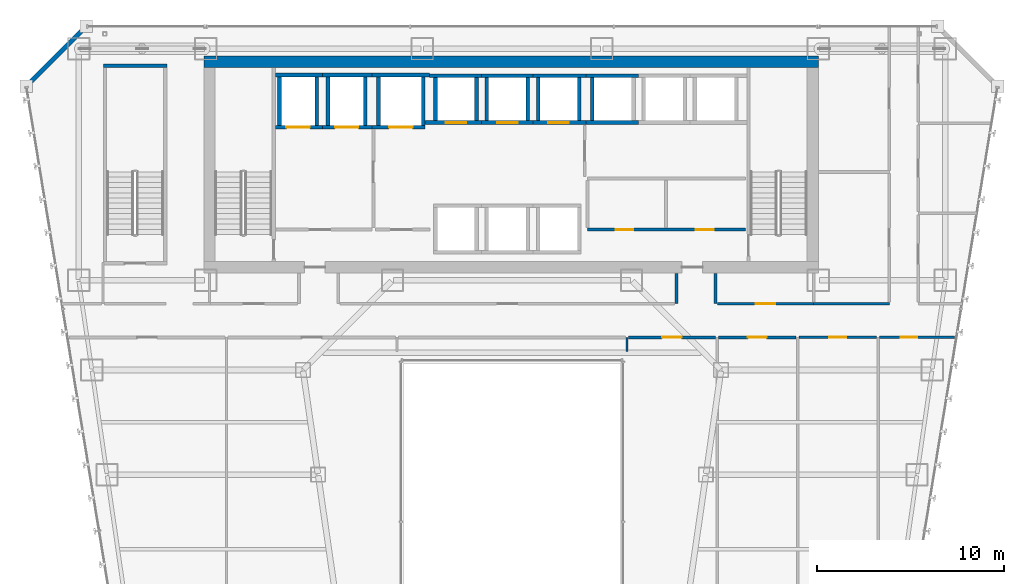
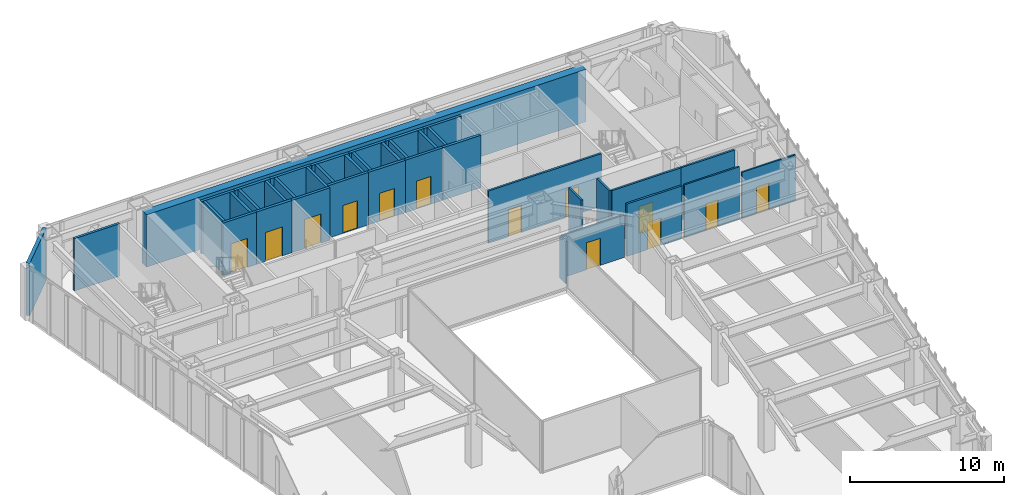
# One storey, part 37 of 47: 40 walls, 13 doors, 13 openings.
"""IFC4 building model written with IfcOpenShell, lengths in metres."""

import ifcopenshell
import ifcopenshell.guid

model = None  # the IFC model being written
_history = None  # IfcOwnerHistory: only IFC2X3 demands one
_inside = {}  # id of a spatial element -> (the spatial element, [elements in it])
_under = {}  # id of a project, library or spatial element -> (it, [spatial elements below it])
_declared = {}  # id of a project -> (the project, [libraries it declares])
_typed = {}  # id of a type object -> (the type object, [elements of that type])
_made_of = {}  # id of a material, layer set ... -> (it, [elements and type objects made of it])


def new_model(schema):
    """Start an empty IFC model of exactly this schema.

    Asked for "IFC4X3", IfcOpenShell would pick the latest addendum, in which some entities
    have other attributes; the version numbers below select the first issue.
    IFC2X3 requires an IfcOwnerHistory on every rooted entity: one is made here for all.
    """
    global model, _history
    if schema == "IFC4X3":
        model = ifcopenshell.file(schema_version=(4, 3, 0, 0))
    else:
        model = ifcopenshell.file(schema=schema)
    _inside.clear()
    _under.clear()
    _declared.clear()
    _typed.clear()
    _made_of.clear()
    _history = None
    if model.schema == "IFC2X3":
        org = make("IfcOrganization", Name="unknown")
        user = make(
            "IfcPersonAndOrganization",
            ThePerson=make("IfcPerson", FamilyName="unknown"),
            TheOrganization=org,
        )
        app = make(
            "IfcApplication",
            ApplicationDeveloper=org,
            Version="unknown",
            ApplicationFullName="unknown",
            ApplicationIdentifier="unknown",
        )
        _history = make(
            "IfcOwnerHistory",
            OwningUser=user,
            OwningApplication=app,
            ChangeAction="ADDED",
            CreationDate=0,
        )
    return model


def make(cls, **values):
    """One entity of the class cls with the attributes given. An attribute that is None is left unset."""
    return model.create_entity(
        cls, **{name: value for name, value in values.items() if value is not None}
    )


def rooted(cls, **values):
    """An entity with a GlobalId (a new one), such as an element, a storey or a relation."""
    return make(cls, GlobalId=ifcopenshell.guid.new(), OwnerHistory=_history, **values)


def si_unit(unit_type, name, prefix=None):
    """IfcSIUnit, for example si_unit("LENGTHUNIT", "METRE", prefix="MILLI")."""
    return make("IfcSIUnit", UnitType=unit_type, Prefix=prefix, Name=name)


def assignment(units):
    """IfcUnitAssignment: the units of a project."""
    return None if units is None else make("IfcUnitAssignment", Units=units)


def point(xyz):
    """IfcCartesianPoint."""
    return None if xyz is None else make("IfcCartesianPoint", Coordinates=xyz)


def direction(xyz):
    """IfcDirection."""
    return None if xyz is None else make("IfcDirection", DirectionRatios=xyz)


def frame(location, z_axis=None, x_axis=None):
    """IfcAxis2Placement3D, a coordinate frame: its origin and axes. An axis left out is left unset."""
    return make(
        "IfcAxis2Placement3D",
        Location=point(location),
        Axis=direction(z_axis),
        RefDirection=direction(x_axis),
    )


def frame_2d(location, x_axis=None):
    """IfcAxis2Placement2D, a coordinate frame in the plane: its origin and x axis."""
    return make(
        "IfcAxis2Placement2D", Location=point(location), RefDirection=direction(x_axis)
    )


def origin():
    """The frame at (0, 0, 0) with its axes left unset."""
    return frame((0.0, 0.0, 0.0))


def place(relative_to, where):
    """IfcLocalPlacement: puts the frame where relative to a parent placement (None: the world)."""
    return make(
        "IfcLocalPlacement", PlacementRelTo=relative_to, RelativePlacement=where
    )


def context(
    kind, dimensions, precision=None, world=None, true_north=None, identifier=None
):
    """IfcGeometricRepresentationContext, for example the 3D "Model" context."""
    return make(
        "IfcGeometricRepresentationContext",
        ContextIdentifier=identifier,
        ContextType=kind,
        CoordinateSpaceDimension=dimensions,
        Precision=precision,
        WorldCoordinateSystem=world,
        TrueNorth=true_north,
    )


def subcontext(parent, identifier, kind, view, scale=None):
    """IfcGeometricRepresentationSubContext, for example "Body" below "Model"."""
    return make(
        "IfcGeometricRepresentationSubContext",
        ContextIdentifier=identifier,
        ContextType=kind,
        ParentContext=parent,
        TargetScale=scale,
        TargetView=view,
    )


def project(units=None, contexts=None):
    """IfcProject with its units and contexts."""
    return rooted(
        "IfcProject",
        Name="project",
        RepresentationContexts=contexts,
        UnitsInContext=assignment(units),
    )


def spatial(cls, under=None, at=None, **own):
    """A site, building, storey or space (cls), placed at a placement, below another one or the project."""
    s = rooted(cls, ObjectPlacement=at, **own)
    if under is not None:
        _under.setdefault(under.id(), (under, []))[1].append(s)
    return s


def profile(cls, at=None, kind="AREA", **sizes):
    """A parametric profile (cls). Its sizes go by their IFC names, for example OverallWidth=200.0."""
    return make(cls, ProfileType=kind, Position=at, **sizes)


def rectangle(**sizes):
    """IfcRectangleProfileDef."""
    return profile("IfcRectangleProfileDef", **sizes)


def extrude(swept, where, along, depth):
    """IfcExtrudedAreaSolid: the profile swept, set in the frame where, extruded along a direction by depth."""
    return make(
        "IfcExtrudedAreaSolid",
        SweptArea=swept,
        Position=where,
        ExtrudedDirection=direction(along),
        Depth=depth,
    )


def shape(context_of_items, identifier, shape_type, items):
    """IfcShapeRepresentation: the items that make up one representation, for example the "Body"."""
    return make(
        "IfcShapeRepresentation",
        ContextOfItems=context_of_items,
        RepresentationIdentifier=identifier,
        RepresentationType=shape_type,
        Items=items,
    )


def material(Name=None, Category=None):
    """IfcMaterial."""
    return make("IfcMaterial", Name=Name, Category=Category)


def layer(
    of_material, thickness, ventilated=None, Name=None, Category=None, Priority=None
):
    """IfcMaterialLayer: one layer of a wall or slab, of a material (None: an air gap)."""
    return make(
        "IfcMaterialLayer",
        Material=of_material,
        LayerThickness=thickness,
        IsVentilated=ventilated,
        Name=Name,
        Category=Category,
        Priority=Priority,
    )


def layer_set(layers, Name=None):
    """IfcMaterialLayerSet."""
    return make("IfcMaterialLayerSet", MaterialLayers=layers, LayerSetName=Name)


def made_of(thing, what):
    """Note that an element or type object is made of a material, layer set ...; save() writes the relation."""
    if what is not None:
        _made_of.setdefault(what.id(), (what, []))[1].append(thing)
    return thing


def type_object(cls, material=None, **own):
    """A type object (cls), such as IfcWallType, which elements share."""
    return made_of(rooted(cls, **own), material)


def element(
    cls,
    number,
    at=None,
    inside=None,
    cuts=None,
    type_object=None,
    material=None,
    context=None,
    identifier="Body",
    shape_type=None,
    held_by="IfcProductDefinitionShape",
    body=None,
    shapes=None,
    **own,
):
    """One element of the class cls, such as IfcWall. Its Tag is "e" and its number.

    at: its placement. inside: the storey or other place that contains it. cuts: it is an
    opening in that element (IfcRelVoidsElement). A single representation is given by context,
    identifier, shape_type and body (its items); several are given by shapes. held_by: the class
    of the entity that holds the representations. save() writes the other relations.
    """
    e = rooted(cls, Tag="e%d" % number, ObjectPlacement=at, **own)
    if body is not None:
        shapes = [shape(context, identifier, shape_type, body)]
    if shapes is not None:
        e.Representation = make(held_by, Representations=shapes)
    if inside is not None:
        _inside.setdefault(inside.id(), (inside, []))[1].append(e)
    if cuts is not None:
        rooted(
            "IfcRelVoidsElement", RelatingBuildingElement=cuts, RelatedOpeningElement=e
        )
    if type_object is not None:
        _typed.setdefault(type_object.id(), (type_object, []))[1].append(e)
    return made_of(e, material)


def fill(opening, filler):
    """IfcRelFillsElement: the door or window that sits in an opening."""
    return rooted(
        "IfcRelFillsElement",
        RelatingOpeningElement=opening,
        RelatedBuildingElement=filler,
    )


def aggregate(whole, parts):
    """IfcRelAggregates: a whole, such as a stair, and the parts it consists of."""
    return rooted("IfcRelAggregates", RelatingObject=whole, RelatedObjects=parts)


def save(model, path):
    """Write the relations noted so far, then the file.

    IfcRelAggregates (storeys below a building ...), IfcRelContainedInSpatialStructure (elements
    in a storey), IfcRelDefinesByType, IfcRelAssociatesMaterial and IfcRelDeclares: one each for
    every whole, place, type object, material and project.
    """
    for whole, parts in _under.values():
        aggregate(whole, parts)
    for where, things in _inside.values():
        rooted(
            "IfcRelContainedInSpatialStructure",
            RelatedElements=things,
            RelatingStructure=where,
        )
    for kind, things in _typed.values():
        rooted("IfcRelDefinesByType", RelatedObjects=things, RelatingType=kind)
    for what, things in _made_of.values():
        rooted("IfcRelAssociatesMaterial", RelatedObjects=things, RelatingMaterial=what)
    for by, libraries in _declared.values():
        rooted("IfcRelDeclares", RelatingContext=by, RelatedDefinitions=libraries)
    model.write(path)


model = new_model("IFC4")

# Units and contexts
model_context = context("Model", 3, precision=1e-05, world=origin(), true_north=direction((0.0, 1.0)))
body_context = subcontext(model_context, "Body", "Model", "MODEL_VIEW")
ifc_project = project(units=[si_unit("LENGTHUNIT", "METRE"), si_unit("AREAUNIT", "SQUARE_METRE"), si_unit("VOLUMEUNIT", "CUBIC_METRE"), si_unit("PLANEANGLEUNIT", "RADIAN"), si_unit("MASSUNIT", "GRAM", prefix="KILO")], contexts=[model_context])

# Site, building, storey
site_placement = place(None, origin())
site = spatial("IfcSite", under=ifc_project, at=site_placement, CompositionType="ELEMENT")
building_placement = place(site_placement, origin())
building = spatial("IfcBuilding", under=site, at=building_placement, Name="Saevonmaru Cultural Tower", CompositionType="ELEMENT")
storey_placement = place(building_placement, frame((0.0, 0.0, 56.0)))
storey = spatial("IfcBuildingStorey", under=building, at=storey_placement, Name="L11", CompositionType="ELEMENT", Elevation=56.0)

# Wall
ifc_material_1 = material(Name="Concrete C60/75", Category="concrete")
ifc_layer_1 = layer(ifc_material_1, 0.60009765625, Name="Concrete C60/75")
ifc_layer_set_1 = layer_set([ifc_layer_1], Name="Concrete C60/75")
wall_type_1 = type_object("IfcWallType", Name="WL-CORE-600", PredefinedType="SHEAR", material=ifc_layer_set_1)
wall_1_placement = place(storey_placement, frame((13.5, 54.10009765625, 0.0), z_axis=(0.0, 0.0, 1.0), x_axis=(1.0, 0.0, 0.0)))
element("IfcWall", 1, at=wall_1_placement, inside=storey, type_object=wall_type_1, Name="L11 Tower RC core shear wall N", PredefinedType="SHEAR", context=body_context, shape_type="SweptSolid", body=[
    extrude(rectangle(XDim=32.89990234375, YDim=0.60009765625, at=frame_2d((16.449951171875, 0.0))), origin(), (0.0, 0.0, 1.0), 4.14990234375),
])

# Wall, openings, doors
ifc_material_2 = material(Name="Gypsum Fireboard Partition", Category="gypsum")
ifc_layer_2 = layer(ifc_material_2, 0.14990234375, Name="Gypsum Fireboard Partition")
ifc_layer_set_2 = layer_set([ifc_layer_2], Name="Gypsum Fireboard Partition")
wall_type_2 = type_object("IfcWallType", Name="WL-CORE-PART-150", PredefinedType="PARTITIONING", material=ifc_layer_set_2)
wall_2_placement = place(storey_placement, frame((34.050048828125, 45.1201171875, 0.0), z_axis=(0.0, 0.0, 1.0), x_axis=(1.0, 0.0, 0.0)))
wall_2 = element("IfcWall", 2, at=wall_2_placement, inside=storey, type_object=wall_type_2, Name="L11 Core Plant South Wall", PredefinedType="PARTITIONING", context=body_context, shape_type="SweptSolid", body=[
    extrude(rectangle(XDim=8.449951171875, YDim=0.14990234375, at=frame_2d((4.22509765625, 0.0))), origin(), (0.0, 0.0, 1.0), 4.14990234375),
])
opening_1_placement = place(wall_2_placement, frame((1.5, 0.0, 0.0)))
opening_1 = element("IfcOpeningElement", 3, at=opening_1_placement, cuts=wall_2, Name="Opening FD-4", PredefinedType="OPENING", context=body_context, shape_type="SweptSolid", body=[
    extrude(rectangle(XDim=0.949951171875, YDim=2.14990234375, at=frame_2d((0.47509765625, 1.074951171875))), frame((0.0, 0.0849609375, 0.0), z_axis=(0.0, -1.0, 0.0), x_axis=(1.0, 0.0, 0.0)), (0.0, 0.0, 1.0), 0.169921875),
])
opening_2_placement = place(wall_2_placement, frame((5.800048828125, 0.0, 0.0)))
opening_2 = element("IfcOpeningElement", 4, at=opening_2_placement, cuts=wall_2, Name="Opening FD-4", PredefinedType="OPENING", context=body_context, shape_type="SweptSolid", body=[
    extrude(rectangle(XDim=0.949951171875, YDim=2.14990234375, at=frame_2d((0.47509765625, 1.074951171875))), frame((0.0, 0.0849609375, 0.0), z_axis=(0.0, -1.0, 0.0), x_axis=(1.0, 0.0, 0.0)), (0.0, 0.0, 1.0), 0.169921875),
])
ifc_material_3 = material(Name="Satin Bronze Anodised Aluminium", Category="aluminium")
door_type_1 = type_object("IfcDoorType", Name="DR-FD60-950", OperationType="SINGLE_SWING_LEFT", PredefinedType="DOOR", material=ifc_material_3)
door_1_placement = place(opening_1_placement, origin())
door_1 = element("IfcDoor", 5, at=door_1_placement, inside=storey, type_object=door_type_1, Name="L11 Floor AHU Plant Door", OperationType="SINGLE_SWING_LEFT", OverallHeight=2.14990234375, OverallWidth=0.949951171875, PredefinedType="DOOR", context=body_context, shape_type="SweptSolid", body=[
    extrude(rectangle(XDim=0.949951171875, YDim=2.14990234375, at=frame_2d((0.47509765625, 1.074951171875))), frame((0.0, 0.02490234375, 0.0), z_axis=(0.0, -1.0, 0.0), x_axis=(1.0, 0.0, 0.0)), (0.0, 0.0, 1.0), 0.050048828125),
])
fill(opening_1, door_1)
door_2_placement = place(opening_2_placement, origin())
door_2 = element("IfcDoor", 6, at=door_2_placement, inside=storey, type_object=door_type_1, Name="L11 Housekeeping Storage Door", OperationType="SINGLE_SWING_LEFT", OverallHeight=2.14990234375, OverallWidth=0.949951171875, PredefinedType="DOOR", context=body_context, shape_type="SweptSolid", body=[
    extrude(rectangle(XDim=0.949951171875, YDim=2.14990234375, at=frame_2d((0.47509765625, 1.074951171875))), frame((0.0, 0.02490234375, 0.0), z_axis=(0.0, -1.0, 0.0), x_axis=(1.0, 0.0, 0.0)), (0.0, 0.0, 1.0), 0.050048828125),
])
fill(opening_2, door_2)

# Walls
ifc_material_4 = material(Name="Granite-Clad Precast Concrete C40/50", Category="masonry")
ifc_layer_3 = layer(ifc_material_4, 0.260009765625, Name="Granite-Clad Precast Concrete C40/50")
ifc_layer_set_3 = layer_set([ifc_layer_3], Name="Granite-Clad Precast Concrete C40/50")
wall_type_3 = type_object("IfcWallType", Name="WL-EXT-SPANDREL-260", PredefinedType="STANDARD", material=ifc_layer_set_3)
wall_3_placement = place(storey_placement, frame((7.0869140625, 55.886962890625, 0.0), z_axis=(0.0, 0.0, 1.0), x_axis=(-0.707106781187, -0.707106781187, 0.0)))
element("IfcWall", 7, at=wall_3_placement, inside=storey, type_object=wall_type_3, Name="L11 Chamfer Corner Spandrel Wall E11", PredefinedType="STANDARD", context=body_context, shape_type="SweptSolid", body=[
    extrude(rectangle(XDim=4.205810546875, YDim=0.260009765625, at=frame_2d((2.10302734375, 0.0))), origin(), (0.0, 0.0, 1.0), 4.14990234375),
])
ifc_layer_4 = layer(ifc_material_2, 0.14990234375, Name="Gypsum Fireboard Partition")
ifc_layer_set_4 = layer_set([ifc_layer_4], Name="Gypsum Fireboard Partition")
wall_type_4 = type_object("IfcWallType", Name="WL-PART-FIRE-150", PredefinedType="PARTITIONING", material=ifc_layer_set_4)
for number, where, z_axis, x_axis, name in (
    (8, (38.800048828125, 41.14990234375, 0.0), (0.0, 0.0, 1.0), (0.0, 1.0, 0.0), "L11 Core Portal Side Wall E1"),
    (9, (40.89990234375, 41.14990234375, 0.0), (0.0, 0.0, 1.0), (0.0, 1.0, 0.0), "L11 Core Portal Side Wall E2"),
):
    element("IfcWall", number, at=place(storey_placement, frame(where, z_axis=z_axis, x_axis=x_axis)), inside=storey, type_object=wall_type_4, Name=name, PredefinedType="PARTITIONING", context=body_context, shape_type="SweptSolid", body=[
        extrude(rectangle(XDim=1.630126953125, YDim=0.14990234375, at=frame_2d((0.81494140625, 0.0))), origin(), (0.0, 0.0, 1.0), 4.14990234375),
    ])

# Wall, opening, door
wall_4_placement = place(storey_placement, frame((40.9951171875, 41.14990234375, 0.0), z_axis=(0.0, 0.0, 1.0), x_axis=(1.0, 0.0, 0.0)))
wall_4 = element("IfcWall", 10, at=wall_4_placement, inside=storey, type_object=wall_type_4, Name="L11 Kinetic Art Exhibition Gallery Corridor Wall", PredefinedType="PARTITIONING", context=body_context, shape_type="SweptSolid", body=[
    extrude(rectangle(XDim=5.15478515625, YDim=0.14990234375, at=frame_2d((2.577392578125, 0.0))), origin(), (0.0, 0.0, 1.0), 4.14990234375),
])
opening_3_placement = place(wall_4_placement, frame((2.052978515625, 0.0, 0.0)))
opening_3 = element("IfcOpeningElement", 11, at=opening_3_placement, cuts=wall_4, Name="Opening ID-1", PredefinedType="OPENING", context=body_context, shape_type="SweptSolid", body=[
    extrude(rectangle(XDim=1.050048828125, YDim=2.14990234375, at=frame_2d((0.52490234375, 1.074951171875))), frame((0.0, 0.0849609375, 0.0), z_axis=(0.0, -1.0, 0.0), x_axis=(1.0, 0.0, 0.0)), (0.0, 0.0, 1.0), 0.169921875),
])
door_type_2 = type_object("IfcDoorType", Name="DR-INT-1050", OperationType="SINGLE_SWING_LEFT", PredefinedType="DOOR", material=ifc_material_3)
door_3_placement = place(opening_3_placement, origin())
door_3 = element("IfcDoor", 12, at=door_3_placement, inside=storey, type_object=door_type_2, Name="L11 Kinetic Art Exhibition Gallery Door", OperationType="SINGLE_SWING_LEFT", OverallHeight=2.14990234375, OverallWidth=1.050048828125, PredefinedType="DOOR", context=body_context, shape_type="SweptSolid", body=[
    extrude(rectangle(XDim=1.050048828125, YDim=2.14990234375, at=frame_2d((0.52490234375, 1.074951171875))), frame((0.0, 0.02490234375, 0.0), z_axis=(0.0, -1.0, 0.0), x_axis=(1.0, 0.0, 0.0)), (0.0, 0.0, 1.0), 0.050048828125),
])
fill(opening_3, door_3)

wall_5_placement = place(storey_placement, frame((36.22998046875, 39.35009765625, 0.0), z_axis=(0.0, 0.0, 1.0), x_axis=(1.0, 0.0, 0.0)))
wall_5 = element("IfcWall", 13, at=wall_5_placement, inside=storey, type_object=wall_type_4, Name="L11 Kinetic Art Exhibition Gallery Corridor Wall", PredefinedType="PARTITIONING", context=body_context, shape_type="SweptSolid", body=[
    extrude(rectangle(XDim=4.66259765625, YDim=0.14990234375, at=frame_2d((2.331298828125, 0.0))), origin(), (0.0, 0.0, 1.0), 3.3349609375),
])
opening_4_placement = place(wall_5_placement, frame((1.805908203125, 0.0, 0.0)))
opening_4 = element("IfcOpeningElement", 14, at=opening_4_placement, cuts=wall_5, Name="Opening ID-1", PredefinedType="OPENING", context=body_context, shape_type="SweptSolid", body=[
    extrude(rectangle(XDim=1.050048828125, YDim=2.14990234375, at=frame_2d((0.52490234375, 1.074951171875))), frame((0.0, 0.0849609375, 0.0), z_axis=(0.0, -1.0, 0.0), x_axis=(1.0, 0.0, 0.0)), (0.0, 0.0, 1.0), 0.169921875),
])
door_4_placement = place(opening_4_placement, origin())
door_4 = element("IfcDoor", 15, at=door_4_placement, inside=storey, type_object=door_type_2, Name="L11 Kinetic Art Exhibition Gallery Door", OperationType="SINGLE_SWING_RIGHT", OverallHeight=2.14990234375, OverallWidth=1.050048828125, PredefinedType="DOOR", context=body_context, shape_type="SweptSolid", body=[
    extrude(rectangle(XDim=1.050048828125, YDim=2.14990234375, at=frame_2d((0.52490234375, 1.074951171875))), frame((0.0, 0.02490234375, 0.0), z_axis=(0.0, -1.0, 0.0), x_axis=(1.0, 0.0, 0.0)), (0.0, 0.0, 1.0), 0.050048828125),
])
fill(opening_4, door_4)

wall_6_placement = place(storey_placement, frame((41.0673828125, 39.35009765625, 0.0), z_axis=(0.0, 0.0, 1.0), x_axis=(1.0, 0.0, 0.0)))
wall_6 = element("IfcWall", 16, at=wall_6_placement, inside=storey, type_object=wall_type_4, Name="L11 Chamber Rehearsal Auditorium Corridor Wall", PredefinedType="PARTITIONING", context=body_context, shape_type="SweptSolid", body=[
    extrude(rectangle(XDim=4.135009765625, YDim=0.14990234375, at=frame_2d((2.0673828125, 0.0))), origin(), (0.0, 0.0, 1.0), 4.14990234375),
])
opening_5_placement = place(wall_6_placement, frame((1.56689453125, 0.0, 0.0)))
opening_5 = element("IfcOpeningElement", 17, at=opening_5_placement, cuts=wall_6, Name="Opening ID-1B", PredefinedType="OPENING", context=body_context, shape_type="SweptSolid", body=[
    extrude(rectangle(XDim=1.0, YDim=2.14990234375, at=frame_2d((0.5, 1.074951171875))), frame((0.0, 0.0849609375, 0.0), z_axis=(0.0, -1.0, 0.0), x_axis=(1.0, 0.0, 0.0)), (0.0, 0.0, 1.0), 0.169921875),
])
ifc_material_5 = material(Name="Acoustic Stained Oak Timber", Category="wood")
door_type_3 = type_object("IfcDoorType", Name="DR-INT-1000", OperationType="SINGLE_SWING_RIGHT", PredefinedType="DOOR", material=ifc_material_5)
door_5_placement = place(opening_5_placement, origin())
door_5 = element("IfcDoor", 18, at=door_5_placement, inside=storey, type_object=door_type_3, Name="L11 Chamber Rehearsal Auditorium Door", OperationType="SINGLE_SWING_LEFT", OverallHeight=2.14990234375, OverallWidth=1.0, PredefinedType="DOOR", context=body_context, shape_type="SweptSolid", body=[
    extrude(rectangle(XDim=1.0, YDim=2.14990234375, at=frame_2d((0.5, 1.074951171875))), frame((0.0, 0.02490234375, 0.0), z_axis=(0.0, -1.0, 0.0), x_axis=(1.0, 0.0, 0.0)), (0.0, 0.0, 1.0), 0.050048828125),
])
fill(opening_5, door_5)

# Wall
ifc_layer_5 = layer(ifc_material_2, 0.1201171875, Name="Gypsum Fireboard Partition")
ifc_layer_set_5 = layer_set([ifc_layer_5], Name="Gypsum Fireboard Partition")
wall_type_5 = type_object("IfcWallType", Name="WL-PART-GYP-120", PredefinedType="PARTITIONING", material=ifc_layer_set_5)
wall_7_placement = place(storey_placement, frame((36.14990234375, 38.60009765625, 0.0), z_axis=(0.0, 0.0, 1.0), x_axis=(0.0, 1.0, 0.0)))
element("IfcWall", 19, at=wall_7_placement, inside=storey, type_object=wall_type_5, Name="L11 North Atrium East Wall", PredefinedType="PARTITIONING", context=body_context, shape_type="SweptSolid", body=[
    extrude(rectangle(XDim=0.75, YDim=0.1201171875, at=frame_2d((0.375, 0.0))), origin(), (0.0, 0.0, 1.0), 3.3349609375),
])

# Wall, opening, door
wall_8_placement = place(storey_placement, frame((45.37744140625, 39.35009765625, 0.0), z_axis=(0.0, 0.0, 1.0), x_axis=(1.0, 0.0, 0.0)))
wall_8 = element("IfcWall", 20, at=wall_8_placement, inside=storey, type_object=wall_type_5, Name="L11 Urban Design Meeting Room Corridor Wall", PredefinedType="PARTITIONING", context=body_context, shape_type="SweptSolid", body=[
    extrude(rectangle(XDim=4.135009765625, YDim=0.1201171875, at=frame_2d((2.0673828125, 0.0))), origin(), (0.0, 0.0, 1.0), 4.14990234375),
])
opening_6_placement = place(wall_8_placement, frame((1.617919921875, 0.0, 0.0)))
opening_6 = element("IfcOpeningElement", 21, at=opening_6_placement, cuts=wall_8, Name="Opening ID-2", PredefinedType="OPENING", context=body_context, shape_type="SweptSolid", body=[
    extrude(rectangle(XDim=0.89990234375, YDim=2.10009765625, at=frame_2d((0.449951171875, 1.050048828125))), frame((0.0, 0.070068359375, 0.0), z_axis=(0.0, -1.0, 0.0), x_axis=(1.0, 0.0, 0.0)), (0.0, 0.0, 1.0), 0.14013671875),
])
door_type_4 = type_object("IfcDoorType", Name="DR-INT-900", OperationType="SINGLE_SWING_RIGHT", PredefinedType="DOOR", material=ifc_material_5)
door_6_placement = place(opening_6_placement, origin())
door_6 = element("IfcDoor", 22, at=door_6_placement, inside=storey, type_object=door_type_4, Name="L11 Urban Design Meeting Room Door", OperationType="SINGLE_SWING_RIGHT", OverallHeight=2.10009765625, OverallWidth=0.89990234375, PredefinedType="DOOR", context=body_context, shape_type="SweptSolid", body=[
    extrude(rectangle(XDim=0.89990234375, YDim=2.10009765625, at=frame_2d((0.449951171875, 1.050048828125))), frame((0.0, 0.02490234375, 0.0), z_axis=(0.0, -1.0, 0.0), x_axis=(1.0, 0.0, 0.0)), (0.0, 0.0, 1.0), 0.050048828125),
])
fill(opening_6, door_6)

wall_9_placement = place(storey_placement, frame((49.6875, 39.35009765625, 0.0), z_axis=(0.0, 0.0, 1.0), x_axis=(1.0, 0.0, 0.0)))
wall_9 = element("IfcWall", 23, at=wall_9_placement, inside=storey, type_object=wall_type_5, Name="L11 Calligraphy Teaching Studio Corridor Wall", PredefinedType="PARTITIONING", context=body_context, shape_type="SweptSolid", body=[
    extrude(rectangle(XDim=4.007568359375, YDim=0.1201171875, at=frame_2d((2.00390625, 0.0))), origin(), (0.0, 0.0, 1.0), 3.635009765625),
])
opening_7_placement = place(wall_9_placement, frame((1.114013671875, 0.0, 0.0)))
opening_7 = element("IfcOpeningElement", 24, at=opening_7_placement, cuts=wall_9, Name="Opening ID-2", PredefinedType="OPENING", context=body_context, shape_type="SweptSolid", body=[
    extrude(rectangle(XDim=0.89990234375, YDim=2.10009765625, at=frame_2d((0.449951171875, 1.050048828125))), frame((0.0, 0.070068359375, 0.0), z_axis=(0.0, -1.0, 0.0), x_axis=(1.0, 0.0, 0.0)), (0.0, 0.0, 1.0), 0.14013671875),
])
door_7_placement = place(opening_7_placement, origin())
door_7 = element("IfcDoor", 25, at=door_7_placement, inside=storey, type_object=door_type_4, Name="L11 Calligraphy Teaching Studio Door", OperationType="SINGLE_SWING_LEFT", OverallHeight=2.10009765625, OverallWidth=0.89990234375, PredefinedType="DOOR", context=body_context, shape_type="SweptSolid", body=[
    extrude(rectangle(XDim=0.89990234375, YDim=2.10009765625, at=frame_2d((0.449951171875, 1.050048828125))), frame((0.0, 0.02490234375, 0.0), z_axis=(0.0, -1.0, 0.0), x_axis=(1.0, 0.0, 0.0)), (0.0, 0.0, 1.0), 0.050048828125),
])
fill(opening_7, door_7)

# Wall
ifc_layer_6 = layer(ifc_material_2, 0.139892578125, Name="Gypsum Fireboard Partition")
ifc_layer_set_6 = layer_set([ifc_layer_6], Name="Gypsum Fireboard Partition")
wall_type_6 = type_object("IfcWallType", Name="WL-PART-WET-140", PredefinedType="PARTITIONING", material=ifc_layer_set_6)
wall_10_placement = place(storey_placement, frame((46.14990234375, 41.14990234375, 0.0), z_axis=(0.0, 0.0, 1.0), x_axis=(1.0, 0.0, 0.0)))
element("IfcWall", 26, at=wall_10_placement, inside=storey, type_object=wall_type_6, Name="L11 Washroom South Wall", PredefinedType="PARTITIONING", context=body_context, shape_type="SweptSolid", body=[
    extrude(rectangle(XDim=4.050048828125, YDim=0.139892578125, at=frame_2d((2.02490234375, 0.0))), origin(), (0.0, 0.0, 1.0), 4.14990234375),
])

# Wall, opening, door
ifc_material_6 = material(Name="Concrete C40/50", Category="concrete")
ifc_layer_7 = layer(ifc_material_6, 0.199951171875, Name="Concrete C40/50")
ifc_layer_set_7 = layer_set([ifc_layer_7], Name="Concrete C40/50")
wall_type_7 = type_object("IfcWallType", Name="WL-SHAFT-200", PredefinedType="SHEAR", material=ifc_layer_set_7)
wall_11_placement = place(storey_placement, frame((17.330078125, 50.60009765625, 0.0), z_axis=(0.0, 0.0, 1.0), x_axis=(1.0, 0.0, 0.0)))
wall_11 = element("IfcWall", 27, at=wall_11_placement, inside=storey, type_object=wall_type_7, Name="L11 Lift FFL-1 Hoistway Wall S", PredefinedType="SHEAR", context=body_context, shape_type="SweptSolid", body=[
    extrude(rectangle(XDim=2.52001953125, YDim=0.199951171875, at=frame_2d((1.260009765625, 0.0))), origin(), (0.0, 0.0, 1.0), 4.14990234375),
])
opening_8_placement = place(wall_11_placement, frame((0.594970703125, 0.0, 0.0)))
opening_8 = element("IfcOpeningElement", 28, at=opening_8_placement, cuts=wall_11, Name="Opening LD-2", PredefinedType="OPENING", context=body_context, shape_type="SweptSolid", body=[
    extrude(rectangle(XDim=1.25, YDim=2.300048828125, at=frame_2d((0.625, 1.14990234375))), frame((0.0, 0.10986328125, 0.0), z_axis=(0.0, -1.0, 0.0), x_axis=(1.0, 0.0, 0.0)), (0.0, 0.0, 1.0), 0.219970703125),
])
ifc_material_7 = material(Name="Stainless Steel 316", Category="steel")
door_type_5 = type_object("IfcDoorType", Name="DR-LIFT-1250", OperationType="SLIDING_TO_LEFT", PredefinedType="DOOR", material=ifc_material_7)
door_8_placement = place(opening_8_placement, origin())
door_8 = element("IfcDoor", 29, at=door_8_placement, inside=storey, type_object=door_type_5, Name="L11 Lift FFL-1 Sliding Landing Door", OperationType="SLIDING_TO_LEFT", OverallHeight=2.300048828125, OverallWidth=1.25, PredefinedType="DOOR", context=body_context, shape_type="SweptSolid", body=[
    extrude(rectangle(XDim=1.25, YDim=2.300048828125, at=frame_2d((0.625, 1.14990234375))), frame((0.0, 0.02490234375, 0.0), z_axis=(0.0, -1.0, 0.0), x_axis=(1.0, 0.0, 0.0)), (0.0, 0.0, 1.0), 0.050048828125),
])
fill(opening_8, door_8)

# Walls
wall_12_placement = place(storey_placement, frame((17.330078125, 53.39990234375, 0.0), z_axis=(0.0, 0.0, 1.0), x_axis=(1.0, 0.0, 0.0)))
element("IfcWall", 30, at=wall_12_placement, inside=storey, type_object=wall_type_7, Name="L11 Lift FFL-1 Hoistway Wall N", PredefinedType="SHEAR", context=body_context, shape_type="SweptSolid", body=[
    extrude(rectangle(XDim=2.52001953125, YDim=0.199951171875, at=frame_2d((1.260009765625, 0.0))), origin(), (0.0, 0.0, 1.0), 4.14990234375),
])
for number, where, z_axis, x_axis, name in (
    (31, (17.550048828125, 50.699951171875, 0.0), (0.0, 0.0, 1.0), (0.0, 1.0, 0.0), "L11 Lift FFL-1 Hoistway Wall W"),
    (32, (19.550048828125, 50.699951171875, 0.0), (0.0, 0.0, 1.0), (0.0, 1.0, 0.0), "L11 Lift FFL-1 Hoistway Wall E"),
):
    element("IfcWall", number, at=place(storey_placement, frame(where, z_axis=z_axis, x_axis=x_axis)), inside=storey, type_object=wall_type_7, Name=name, PredefinedType="SHEAR", context=body_context, shape_type="SweptSolid", body=[
        extrude(rectangle(XDim=2.60009765625, YDim=0.199951171875, at=frame_2d((1.300048828125, 0.0))), origin(), (0.0, 0.0, 1.0), 4.14990234375),
    ])

# Wall, opening, door
wall_13_placement = place(storey_placement, frame((19.85009765625, 50.60009765625, 0.0), z_axis=(0.0, 0.0, 1.0), x_axis=(1.0, 0.0, 0.0)))
wall_13 = element("IfcWall", 33, at=wall_13_placement, inside=storey, type_object=wall_type_7, Name="L11 Lift FFL-2 Hoistway Wall S", PredefinedType="SHEAR", context=body_context, shape_type="SweptSolid", body=[
    extrude(rectangle(XDim=2.64990234375, YDim=0.199951171875, at=frame_2d((1.324951171875, 0.0))), origin(), (0.0, 0.0, 1.0), 4.14990234375),
])
opening_9_placement = place(wall_13_placement, frame((0.675048828125, 0.0, 0.0)))
opening_9 = element("IfcOpeningElement", 34, at=opening_9_placement, cuts=wall_13, Name="Opening LD-2", PredefinedType="OPENING", context=body_context, shape_type="SweptSolid", body=[
    extrude(rectangle(XDim=1.25, YDim=2.300048828125, at=frame_2d((0.625, 1.14990234375))), frame((0.0, 0.10986328125, 0.0), z_axis=(0.0, -1.0, 0.0), x_axis=(1.0, 0.0, 0.0)), (0.0, 0.0, 1.0), 0.219970703125),
])
door_9_placement = place(opening_9_placement, origin())
door_9 = element("IfcDoor", 35, at=door_9_placement, inside=storey, type_object=door_type_5, Name="L11 Lift FFL-2 Sliding Landing Door", OperationType="SLIDING_TO_LEFT", OverallHeight=2.300048828125, OverallWidth=1.25, PredefinedType="DOOR", context=body_context, shape_type="SweptSolid", body=[
    extrude(rectangle(XDim=1.25, YDim=2.300048828125, at=frame_2d((0.625, 1.14990234375))), frame((0.0, 0.02490234375, 0.0), z_axis=(0.0, -1.0, 0.0), x_axis=(1.0, 0.0, 0.0)), (0.0, 0.0, 1.0), 0.050048828125),
])
fill(opening_9, door_9)

# Walls
wall_14_placement = place(storey_placement, frame((19.85009765625, 53.39990234375, 0.0), z_axis=(0.0, 0.0, 1.0), x_axis=(1.0, 0.0, 0.0)))
element("IfcWall", 36, at=wall_14_placement, inside=storey, type_object=wall_type_7, Name="L11 Lift FFL-2 Hoistway Wall N", PredefinedType="SHEAR", context=body_context, shape_type="SweptSolid", body=[
    extrude(rectangle(XDim=2.64990234375, YDim=0.199951171875, at=frame_2d((1.324951171875, 0.0))), origin(), (0.0, 0.0, 1.0), 4.14990234375),
])
for number, where, z_axis, x_axis, name in (
    (37, (20.14990234375, 50.699951171875, 0.0), (0.0, 0.0, 1.0), (0.0, 1.0, 0.0), "L11 Lift FFL-2 Hoistway Wall W"),
    (38, (22.14990234375, 50.699951171875, 0.0), (0.0, 0.0, 1.0), (0.0, 1.0, 0.0), "L11 Lift FFL-2 Hoistway Wall E"),
):
    element("IfcWall", number, at=place(storey_placement, frame(where, z_axis=z_axis, x_axis=x_axis)), inside=storey, type_object=wall_type_7, Name=name, PredefinedType="SHEAR", context=body_context, shape_type="SweptSolid", body=[
        extrude(rectangle(XDim=2.60009765625, YDim=0.199951171875, at=frame_2d((1.300048828125, 0.0))), origin(), (0.0, 0.0, 1.0), 4.14990234375),
    ])

# Wall, opening, door
wall_15_placement = place(storey_placement, frame((22.5, 50.60009765625, 0.0), z_axis=(0.0, 0.0, 1.0), x_axis=(1.0, 0.0, 0.0)))
wall_15 = element("IfcWall", 39, at=wall_15_placement, inside=storey, type_object=wall_type_7, Name="L11 Lift GL-1 Hoistway Wall S", PredefinedType="SHEAR", context=body_context, shape_type="SweptSolid", body=[
    extrude(rectangle(XDim=2.85009765625, YDim=0.199951171875, at=frame_2d((1.425048828125, 0.0))), origin(), (0.0, 0.0, 1.0), 4.14990234375),
])
opening_10_placement = place(wall_15_placement, frame((0.925048828125, 0.0, 0.0)))
opening_10 = element("IfcOpeningElement", 40, at=opening_10_placement, cuts=wall_15, Name="Opening LD-2", PredefinedType="OPENING", context=body_context, shape_type="SweptSolid", body=[
    extrude(rectangle(XDim=1.25, YDim=2.300048828125, at=frame_2d((0.625, 1.14990234375))), frame((0.0, 0.10986328125, 0.0), z_axis=(0.0, -1.0, 0.0), x_axis=(1.0, 0.0, 0.0)), (0.0, 0.0, 1.0), 0.219970703125),
])
door_10_placement = place(opening_10_placement, origin())
door_10 = element("IfcDoor", 41, at=door_10_placement, inside=storey, type_object=door_type_5, Name="L11 Lift GL-1 Sliding Landing Door", OperationType="SLIDING_TO_LEFT", OverallHeight=2.300048828125, OverallWidth=1.25, PredefinedType="DOOR", context=body_context, shape_type="SweptSolid", body=[
    extrude(rectangle(XDim=1.25, YDim=2.300048828125, at=frame_2d((0.625, 1.14990234375))), frame((0.0, 0.02490234375, 0.0), z_axis=(0.0, -1.0, 0.0), x_axis=(1.0, 0.0, 0.0)), (0.0, 0.0, 1.0), 0.050048828125),
])
fill(opening_10, door_10)

# Walls
wall_16_placement = place(storey_placement, frame((22.5, 53.39990234375, 0.0), z_axis=(0.0, 0.0, 1.0), x_axis=(1.0, 0.0, 0.0)))
element("IfcWall", 42, at=wall_16_placement, inside=storey, type_object=wall_type_7, Name="L11 Lift GL-1 Hoistway Wall N", PredefinedType="SHEAR", context=body_context, shape_type="SweptSolid", body=[
    extrude(rectangle(XDim=3.074951171875, YDim=0.199951171875, at=frame_2d((1.53759765625, 0.0))), origin(), (0.0, 0.0, 1.0), 4.14990234375),
])
for number, where, z_axis, x_axis, name in (
    (43, (22.85009765625, 50.699951171875, 0.0), (0.0, 0.0, 1.0), (0.0, 1.0, 0.0), "L11 Lift GL-1 Hoistway Wall W"),
    (44, (25.25, 50.699951171875, 0.0), (0.0, 0.0, 1.0), (0.0, 1.0, 0.0), "L11 Lift GL-1 Hoistway Wall E"),
):
    element("IfcWall", number, at=place(storey_placement, frame(where, z_axis=z_axis, x_axis=x_axis)), inside=storey, type_object=wall_type_7, Name=name, PredefinedType="SHEAR", context=body_context, shape_type="SweptSolid", body=[
        extrude(rectangle(XDim=2.60009765625, YDim=0.199951171875, at=frame_2d((1.300048828125, 0.0))), origin(), (0.0, 0.0, 1.0), 4.14990234375),
    ])

# Wall, opening, door
wall_17_placement = place(storey_placement, frame((25.35009765625, 50.85009765625, 0.0), z_axis=(0.0, 0.0, 1.0), x_axis=(1.0, 0.0, 0.0)))
wall_17 = element("IfcWall", 45, at=wall_17_placement, inside=storey, type_object=wall_type_7, Name="L11 Lift PL-L1 Hoistway Wall S", PredefinedType="SHEAR", context=body_context, shape_type="SweptSolid", body=[
    extrude(rectangle(XDim=3.02490234375, YDim=0.199951171875, at=frame_2d((1.512451171875, 0.0))), origin(), (0.0, 0.0, 1.0), 4.14990234375),
])
opening_11_placement = place(wall_17_placement, frame((1.10009765625, 0.0, 0.0)))
opening_11 = element("IfcOpeningElement", 46, at=opening_11_placement, cuts=wall_17, Name="Opening LD-1", PredefinedType="OPENING", context=body_context, shape_type="SweptSolid", body=[
    extrude(rectangle(XDim=1.10009765625, YDim=2.199951171875, at=frame_2d((0.550048828125, 1.10009765625))), frame((0.0, 0.10986328125, 0.0), z_axis=(0.0, -1.0, 0.0), x_axis=(1.0, 0.0, 0.0)), (0.0, 0.0, 1.0), 0.219970703125),
])
ifc_material_8 = material(Name="Satin Bronze Stainless Steel", Category="steel")
door_type_6 = type_object("IfcDoorType", Name="DR-LIFT-1100", OperationType="SLIDING_TO_LEFT", PredefinedType="DOOR", material=ifc_material_8)
door_11_placement = place(opening_11_placement, origin())
door_11 = element("IfcDoor", 47, at=door_11_placement, inside=storey, type_object=door_type_6, Name="L11 Lift PL-L1 Sliding Landing Door", OperationType="SLIDING_TO_LEFT", OverallHeight=2.199951171875, OverallWidth=1.10009765625, PredefinedType="DOOR", context=body_context, shape_type="SweptSolid", body=[
    extrude(rectangle(XDim=1.10009765625, YDim=2.199951171875, at=frame_2d((0.550048828125, 1.10009765625))), frame((0.0, 0.02490234375, 0.0), z_axis=(0.0, -1.0, 0.0), x_axis=(1.0, 0.0, 0.0)), (0.0, 0.0, 1.0), 0.050048828125),
])
fill(opening_11, door_11)

# Walls
wall_18_placement = place(storey_placement, frame((25.574951171875, 53.35009765625, 0.0), z_axis=(0.0, 0.0, 1.0), x_axis=(1.0, 0.0, 0.0)))
element("IfcWall", 48, at=wall_18_placement, inside=storey, type_object=wall_type_7, Name="L11 Lift PL-L1 Hoistway Wall N", PredefinedType="SHEAR", context=body_context, shape_type="SweptSolid", body=[
    extrude(rectangle(XDim=2.800048828125, YDim=0.199951171875, at=frame_2d((1.39990234375, 0.0))), origin(), (0.0, 0.0, 1.0), 4.14990234375),
])
for number, where, z_axis, x_axis, name in (
    (49, (25.89990234375, 50.949951171875, 0.0), (0.0, 0.0, 1.0), (0.0, 1.0, 0.0), "L11 Lift PL-L1 Hoistway Wall W"),
    (50, (28.10009765625, 50.949951171875, 0.0), (0.0, 0.0, 1.0), (0.0, 1.0, 0.0), "L11 Lift PL-L1 Hoistway Wall E"),
):
    element("IfcWall", number, at=place(storey_placement, frame(where, z_axis=z_axis, x_axis=x_axis)), inside=storey, type_object=wall_type_7, Name=name, PredefinedType="SHEAR", context=body_context, shape_type="SweptSolid", body=[
        extrude(rectangle(XDim=2.300048828125, YDim=0.199951171875, at=frame_2d((1.14990234375, 0.0))), origin(), (0.0, 0.0, 1.0), 4.14990234375),
    ])

# Wall, opening, door
wall_19_placement = place(storey_placement, frame((28.375, 50.85009765625, 0.0), z_axis=(0.0, 0.0, 1.0), x_axis=(1.0, 0.0, 0.0)))
wall_19 = element("IfcWall", 51, at=wall_19_placement, inside=storey, type_object=wall_type_7, Name="L11 Lift PL-L2 Hoistway Wall S", PredefinedType="SHEAR", context=body_context, shape_type="SweptSolid", body=[
    extrude(rectangle(XDim=2.75, YDim=0.199951171875, at=frame_2d((1.375, 0.0))), origin(), (0.0, 0.0, 1.0), 4.14990234375),
])
opening_12_placement = place(wall_19_placement, frame((0.824951171875, 0.0, 0.0)))
opening_12 = element("IfcOpeningElement", 52, at=opening_12_placement, cuts=wall_19, Name="Opening LD-1", PredefinedType="OPENING", context=body_context, shape_type="SweptSolid", body=[
    extrude(rectangle(XDim=1.10009765625, YDim=2.199951171875, at=frame_2d((0.550048828125, 1.10009765625))), frame((0.0, 0.10986328125, 0.0), z_axis=(0.0, -1.0, 0.0), x_axis=(1.0, 0.0, 0.0)), (0.0, 0.0, 1.0), 0.219970703125),
])
door_12_placement = place(opening_12_placement, origin())
door_12 = element("IfcDoor", 53, at=door_12_placement, inside=storey, type_object=door_type_6, Name="L11 Lift PL-L2 Sliding Landing Door", OperationType="SLIDING_TO_LEFT", OverallHeight=2.199951171875, OverallWidth=1.10009765625, PredefinedType="DOOR", context=body_context, shape_type="SweptSolid", body=[
    extrude(rectangle(XDim=1.10009765625, YDim=2.199951171875, at=frame_2d((0.550048828125, 1.10009765625))), frame((0.0, 0.02490234375, 0.0), z_axis=(0.0, -1.0, 0.0), x_axis=(1.0, 0.0, 0.0)), (0.0, 0.0, 1.0), 0.050048828125),
])
fill(opening_12, door_12)

# Walls
wall_20_placement = place(storey_placement, frame((28.375, 53.35009765625, 0.0), z_axis=(0.0, 0.0, 1.0), x_axis=(1.0, 0.0, 0.0)))
element("IfcWall", 54, at=wall_20_placement, inside=storey, type_object=wall_type_7, Name="L11 Lift PL-L2 Hoistway Wall N", PredefinedType="SHEAR", context=body_context, shape_type="SweptSolid", body=[
    extrude(rectangle(XDim=2.75, YDim=0.199951171875, at=frame_2d((1.375, 0.0))), origin(), (0.0, 0.0, 1.0), 4.14990234375),
])
for number, where, z_axis, x_axis, name in (
    (55, (28.64990234375, 50.949951171875, 0.0), (0.0, 0.0, 1.0), (0.0, 1.0, 0.0), "L11 Lift PL-L2 Hoistway Wall W"),
    (56, (30.85009765625, 50.949951171875, 0.0), (0.0, 0.0, 1.0), (0.0, 1.0, 0.0), "L11 Lift PL-L2 Hoistway Wall E"),
):
    element("IfcWall", number, at=place(storey_placement, frame(where, z_axis=z_axis, x_axis=x_axis)), inside=storey, type_object=wall_type_7, Name=name, PredefinedType="SHEAR", context=body_context, shape_type="SweptSolid", body=[
        extrude(rectangle(XDim=2.300048828125, YDim=0.199951171875, at=frame_2d((1.14990234375, 0.0))), origin(), (0.0, 0.0, 1.0), 4.14990234375),
    ])

# Wall, opening, door
wall_21_placement = place(storey_placement, frame((31.125, 50.85009765625, 0.0), z_axis=(0.0, 0.0, 1.0), x_axis=(1.0, 0.0, 0.0)))
wall_21 = element("IfcWall", 57, at=wall_21_placement, inside=storey, type_object=wall_type_7, Name="L11 Lift PL-L3 Hoistway Wall S", PredefinedType="SHEAR", context=body_context, shape_type="SweptSolid", body=[
    extrude(rectangle(XDim=2.824951171875, YDim=0.199951171875, at=frame_2d((1.41259765625, 0.0))), origin(), (0.0, 0.0, 1.0), 4.14990234375),
])
opening_13_placement = place(wall_21_placement, frame((0.824951171875, 0.0, 0.0)))
opening_13 = element("IfcOpeningElement", 58, at=opening_13_placement, cuts=wall_21, Name="Opening LD-1", PredefinedType="OPENING", context=body_context, shape_type="SweptSolid", body=[
    extrude(rectangle(XDim=1.10009765625, YDim=2.199951171875, at=frame_2d((0.550048828125, 1.10009765625))), frame((0.0, 0.10986328125, 0.0), z_axis=(0.0, -1.0, 0.0), x_axis=(1.0, 0.0, 0.0)), (0.0, 0.0, 1.0), 0.219970703125),
])
door_13_placement = place(opening_13_placement, origin())
door_13 = element("IfcDoor", 59, at=door_13_placement, inside=storey, type_object=door_type_6, Name="L11 Lift PL-L3 Sliding Landing Door", OperationType="SLIDING_TO_LEFT", OverallHeight=2.199951171875, OverallWidth=1.10009765625, PredefinedType="DOOR", context=body_context, shape_type="SweptSolid", body=[
    extrude(rectangle(XDim=1.10009765625, YDim=2.199951171875, at=frame_2d((0.550048828125, 1.10009765625))), frame((0.0, 0.02490234375, 0.0), z_axis=(0.0, -1.0, 0.0), x_axis=(1.0, 0.0, 0.0)), (0.0, 0.0, 1.0), 0.050048828125),
])
fill(opening_13, door_13)

# Walls
wall_22_placement = place(storey_placement, frame((31.125, 53.35009765625, 0.0), z_axis=(0.0, 0.0, 1.0), x_axis=(1.0, 0.0, 0.0)))
element("IfcWall", 60, at=wall_22_placement, inside=storey, type_object=wall_type_7, Name="L11 Lift PL-L3 Hoistway Wall N", PredefinedType="SHEAR", context=body_context, shape_type="SweptSolid", body=[
    extrude(rectangle(XDim=2.824951171875, YDim=0.199951171875, at=frame_2d((1.41259765625, 0.0))), origin(), (0.0, 0.0, 1.0), 4.14990234375),
])
for number, where, z_axis, x_axis, name in (
    (61, (31.39990234375, 50.949951171875, 0.0), (0.0, 0.0, 1.0), (0.0, 1.0, 0.0), "L11 Lift PL-L3 Hoistway Wall W"),
    (62, (33.60009765625, 50.949951171875, 0.0), (0.0, 0.0, 1.0), (0.0, 1.0, 0.0), "L11 Lift PL-L3 Hoistway Wall E"),
):
    element("IfcWall", number, at=place(storey_placement, frame(where, z_axis=z_axis, x_axis=x_axis)), inside=storey, type_object=wall_type_7, Name=name, PredefinedType="SHEAR", context=body_context, shape_type="SweptSolid", body=[
        extrude(rectangle(XDim=2.300048828125, YDim=0.199951171875, at=frame_2d((1.14990234375, 0.0))), origin(), (0.0, 0.0, 1.0), 4.14990234375),
    ])
for number, where, z_axis, x_axis, name in (
    (63, (33.949951171875, 50.85009765625, 0.0), (0.0, 0.0, 1.0), (1.0, 0.0, 0.0), "L11 Lift PL-H1 Hoistway Wall S"),
    (64, (33.949951171875, 53.35009765625, 0.0), (0.0, 0.0, 1.0), (1.0, 0.0, 0.0), "L11 Lift PL-H1 Hoistway Wall N"),
):
    element("IfcWall", number, at=place(storey_placement, frame(where, z_axis=z_axis, x_axis=x_axis)), inside=storey, type_object=wall_type_7, Name=name, PredefinedType="SHEAR", context=body_context, shape_type="SweptSolid", body=[
        extrude(rectangle(XDim=2.824951171875, YDim=0.199951171875, at=frame_2d((1.41259765625, 0.0))), origin(), (0.0, 0.0, 1.0), 4.14990234375),
    ])
wall_23_placement = place(storey_placement, frame((34.300048828125, 50.949951171875, 0.0), z_axis=(0.0, 0.0, 1.0), x_axis=(0.0, 1.0, 0.0)))
element("IfcWall", 65, at=wall_23_placement, inside=storey, type_object=wall_type_7, Name="L11 Lift PL-H1 Hoistway Wall W", PredefinedType="SHEAR", context=body_context, shape_type="SweptSolid", body=[
    extrude(rectangle(XDim=2.300048828125, YDim=0.199951171875, at=frame_2d((1.14990234375, 0.0))), origin(), (0.0, 0.0, 1.0), 4.14990234375),
])
ifc_layer_8 = layer(ifc_material_6, 0.179931640625, Name="Concrete C40/50")
ifc_layer_set_8 = layer_set([ifc_layer_8], Name="Concrete C40/50")
wall_type_8 = type_object("IfcWallType", Name="WL-STSHAFT-180", PredefinedType="SHEAR", material=ifc_layer_set_8)
wall_24_placement = place(storey_placement, frame((11.530029296875, 53.889892578125, 0.0), z_axis=(0.0, 0.0, 1.0), x_axis=(-1.0, 0.0, 0.0)))
element("IfcWall", 66, at=wall_24_placement, inside=storey, type_object=wall_type_8, Name="L11 Stair ST-3 Structural Shaft Wall 3", PredefinedType="SHEAR", context=body_context, shape_type="SweptSolid", body=[
    extrude(rectangle(XDim=3.409912109375, YDim=0.179931640625, at=frame_2d((1.705078125, 0.0))), origin(), (0.0, 0.0, 1.0), 4.14990234375),
])

save(model, "model.ifc")
